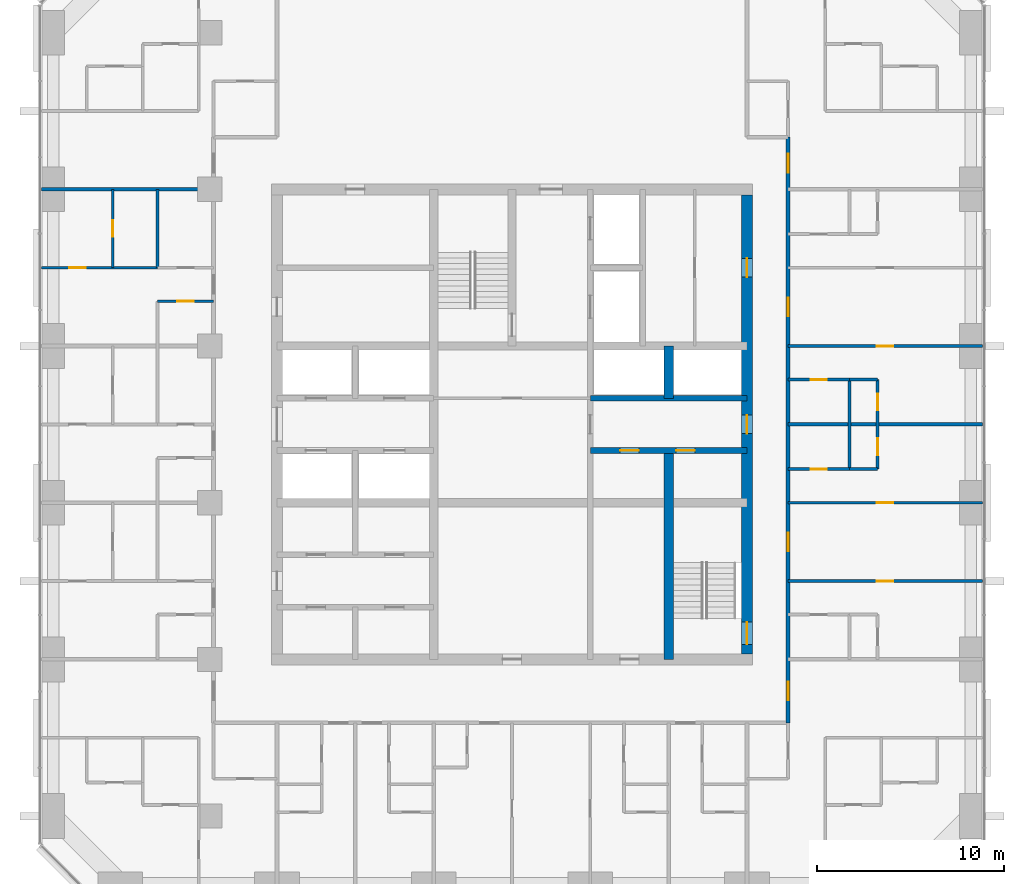
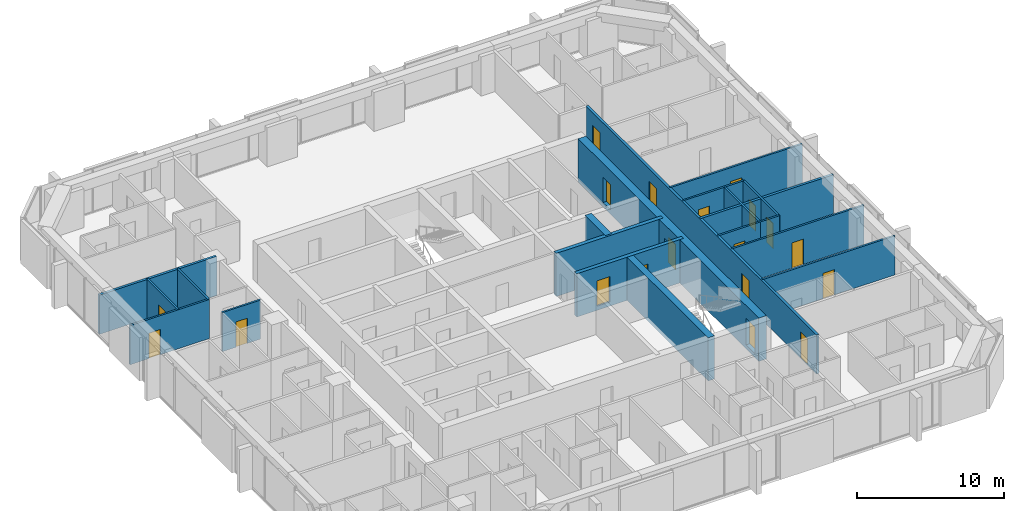
# One storey, part 11 of 14: 21 walls, 19 doors, 19 openings.
"""IFC4 building model written with IfcOpenShell, lengths in metres."""

from ifc_helpers import new_model, si_unit, direction, frame, frame_2d, origin, place, context, subcontext, project, spatial, rectangle, extrude, material, layer, layer_set, type_object, element, fill, save


model = new_model("IFC4")

# Units and contexts
model_context = context("Model", 3, precision=1e-05, world=origin(), true_north=direction((0.0, 1.0)))
body_context = subcontext(model_context, "Body", "Model", "MODEL_VIEW")
ifc_project = project(units=[si_unit("LENGTHUNIT", "METRE"), si_unit("AREAUNIT", "SQUARE_METRE"), si_unit("VOLUMEUNIT", "CUBIC_METRE"), si_unit("PLANEANGLEUNIT", "RADIAN"), si_unit("MASSUNIT", "GRAM", prefix="KILO")], contexts=[model_context])

# Site, building, storey
site_placement = place(None, origin())
site = spatial("IfcSite", under=ifc_project, at=site_placement, CompositionType="ELEMENT")
building_placement = place(site_placement, origin())
building = spatial("IfcBuilding", under=site, at=building_placement, Name="Dunama Terrace Hotel", CompositionType="ELEMENT")
storey_placement = place(building_placement, frame((0.0, 0.0, 202.199951171875)))
storey = spatial("IfcBuildingStorey", under=building, at=storey_placement, Name="L52", CompositionType="ELEMENT", Elevation=202.199951171875)

# Wall, opening, door
ifc_material_1 = material(Name="Gypsum board partition", Category="masonry")
ifc_layer_1 = layer(ifc_material_1, 0.14990234375)
ifc_layer_set_1 = layer_set([ifc_layer_1], Name="Bathroom partition 150")
wall_type_1 = type_object("IfcWallType", Name="Bathroom partition 150", PredefinedType="PARTITIONING", material=ifc_layer_set_1)
wall_1_placement = place(storey_placement, frame((44.199951171875, 27.0, 0.0), z_axis=(0.0, 0.0, 1.0), x_axis=(1.0, 0.0, 0.0)))
wall_1 = element("IfcWall", 1, at=wall_1_placement, inside=storey, type_object=wall_type_1, Name="Bathroom partition 150 L52", PredefinedType="PARTITIONING", context=body_context, shape_type="SweptSolid", body=[
    extrude(rectangle(XDim=3.300048828125, YDim=0.14990234375, at=frame_2d((1.64990234375, 0.0))), origin(), (0.0, 0.0, 1.0), 3.25),
])
opening_1_placement = place(wall_1_placement, frame((1.22509765625, 0.0, 0.0)))
opening_1 = element("IfcOpeningElement", 2, at=opening_1_placement, cuts=wall_1, Name="Opening L51-52-029", PredefinedType="OPENING", context=body_context, shape_type="SweptSolid", body=[
    extrude(rectangle(XDim=0.85009765625, YDim=2.10009765625, at=frame_2d((0.425048828125, 1.050048828125))), frame((0.0, 0.0849609375, 0.0), z_axis=(0.0, -1.0, 0.0), x_axis=(1.0, 0.0, 0.0)), (0.0, 0.0, 1.0), 0.169921875),
])
ifc_material_2 = material(Name="Timber door with steel frame", Category="steel")
door_type_1 = type_object("IfcDoorType", Name="Bathroom door 850", OperationType="SINGLE_SWING_LEFT", PredefinedType="DOOR", material=ifc_material_2)
door_1_placement = place(opening_1_placement, origin())
door_1 = element("IfcDoor", 3, at=door_1_placement, inside=storey, type_object=door_type_1, Name="Door to en-suite bathroom L51-52-029, type D2", OperationType="SINGLE_SWING_LEFT", OverallHeight=2.10009765625, OverallWidth=0.85009765625, PredefinedType="DOOR", context=body_context, shape_type="SweptSolid", body=[
    extrude(rectangle(XDim=0.85009765625, YDim=2.10009765625, at=frame_2d((0.425048828125, 1.050048828125))), frame((0.0, 0.02490234375, 0.0), z_axis=(0.0, -1.0, 0.0), x_axis=(1.0, 0.0, 0.0)), (0.0, 0.0, 1.0), 0.050048828125),
])
fill(opening_1, door_1)

wall_2_placement = place(storey_placement, frame((44.199951171875, 31.800048828125, 0.0), z_axis=(0.0, 0.0, 1.0), x_axis=(1.0, 0.0, 0.0)))
wall_2 = element("IfcWall", 4, at=wall_2_placement, inside=storey, type_object=wall_type_1, Name="Bathroom partition 150 L52", PredefinedType="PARTITIONING", context=body_context, shape_type="SweptSolid", body=[
    extrude(rectangle(XDim=3.300048828125, YDim=0.14990234375, at=frame_2d((1.64990234375, 0.0))), origin(), (0.0, 0.0, 1.0), 3.25),
])
opening_2_placement = place(wall_2_placement, frame((1.22509765625, 0.0, 0.0)))
opening_2 = element("IfcOpeningElement", 5, at=opening_2_placement, cuts=wall_2, Name="Opening L51-52-033", PredefinedType="OPENING", context=body_context, shape_type="SweptSolid", body=[
    extrude(rectangle(XDim=0.85009765625, YDim=2.10009765625, at=frame_2d((0.425048828125, 1.050048828125))), frame((0.0, 0.0849609375, 0.0), z_axis=(0.0, -1.0, 0.0), x_axis=(1.0, 0.0, 0.0)), (0.0, 0.0, 1.0), 0.169921875),
])
door_2_placement = place(opening_2_placement, frame((0.85009765625, 0.0, 0.0), z_axis=(0.0, 0.0, 1.0), x_axis=(-1.0, 0.0, 0.0)))
door_2 = element("IfcDoor", 6, at=door_2_placement, inside=storey, type_object=door_type_1, Name="Door to en-suite bathroom L51-52-033, type D2", OperationType="SINGLE_SWING_RIGHT", OverallHeight=2.10009765625, OverallWidth=0.85009765625, PredefinedType="DOOR", context=body_context, shape_type="SweptSolid", body=[
    extrude(rectangle(XDim=0.85009765625, YDim=2.10009765625, at=frame_2d((0.425048828125, 1.050048828125))), frame((0.0, 0.025146484375, 0.0), z_axis=(0.0, -1.0, 0.0), x_axis=(1.0, 0.0, 0.0)), (0.0, 0.0, 1.0), 0.050048828125),
])
fill(opening_2, door_2)

# Wall, openings, doors
ifc_material_3 = material(Name="Concrete C50/60", Category="concrete")
ifc_layer_2 = layer(ifc_material_3, 0.300048828125)
ifc_layer_set_2 = layer_set([ifc_layer_2], Name="Core inner wall 300")
wall_type_2 = type_object("IfcWallType", Name="Core inner wall 300", PredefinedType="SHEAR", material=ifc_layer_set_2)
wall_3_placement = place(storey_placement, frame((33.60009765625, 28.0, -0.349853515625), z_axis=(0.0, 0.0, 1.0), x_axis=(1.0, 0.0, 0.0)))
wall_3 = element("IfcWall", 7, at=wall_3_placement, inside=storey, type_object=wall_type_2, Name="Core inner wall 300 L52", PredefinedType="SHEAR", context=body_context, shape_type="SweptSolid", body=[
    extrude(rectangle(XDim=8.39990234375, YDim=0.300048828125, at=frame_2d((4.199951171875, 0.0))), origin(), (0.0, 0.0, 1.0), 3.599853515625),
])
opening_3_placement = place(wall_3_placement, frame((1.60009765625, 0.0, 0.35009765625)))
opening_3 = element("IfcOpeningElement", 8, at=opening_3_placement, cuts=wall_3, Name="Opening L51-52-083", PredefinedType="OPENING", context=body_context, shape_type="SweptSolid", body=[
    extrude(rectangle(XDim=1.0, YDim=2.10009765625, at=frame_2d((0.5, 1.050048828125))), frame((0.0, 0.159912109375, 0.0), z_axis=(0.0, -1.0, 0.0), x_axis=(1.0, 0.0, 0.0)), (0.0, 0.0, 1.0), 0.320068359375),
])
opening_4_placement = place(wall_3_placement, frame((4.60009765625, 0.0, 0.35009765625)))
opening_4 = element("IfcOpeningElement", 9, at=opening_4_placement, cuts=wall_3, Name="Opening L51-52-084", PredefinedType="OPENING", context=body_context, shape_type="SweptSolid", body=[
    extrude(rectangle(XDim=1.0, YDim=2.10009765625, at=frame_2d((0.5, 1.050048828125))), frame((0.0, 0.159912109375, 0.0), z_axis=(0.0, -1.0, 0.0), x_axis=(1.0, 0.0, 0.0)), (0.0, 0.0, 1.0), 0.320068359375),
])
ifc_material_4 = material(Name="Timber door with steel frame", Category="steel")
door_type_2 = type_object("IfcDoorType", Name="Service door 1000", OperationType="SINGLE_SWING_LEFT", PredefinedType="DOOR", material=ifc_material_4)
door_3_placement = place(opening_3_placement, frame((1.0, 0.0, 0.0), z_axis=(0.0, 0.0, 1.0), x_axis=(-1.0, 0.0, 0.0)))
door_3 = element("IfcDoor", 10, at=door_3_placement, inside=storey, type_object=door_type_2, Name="Door to service riser L51-52-083, type D7", OperationType="SINGLE_SWING_LEFT", OverallHeight=2.10009765625, OverallWidth=1.0, PredefinedType="DOOR", context=body_context, shape_type="SweptSolid", body=[
    extrude(rectangle(XDim=1.0, YDim=2.10009765625, at=frame_2d((0.5, 1.050048828125))), frame((0.0, 0.025146484375, 0.0), z_axis=(0.0, -1.0, 0.0), x_axis=(1.0, 0.0, 0.0)), (0.0, 0.0, 1.0), 0.050048828125),
])
fill(opening_3, door_3)
door_4_placement = place(opening_4_placement, frame((1.0, 0.0, 0.0), z_axis=(0.0, 0.0, 1.0), x_axis=(-1.0, 0.0, 0.0)))
door_4 = element("IfcDoor", 11, at=door_4_placement, inside=storey, type_object=door_type_2, Name="Door to room service pantry L51-52-084, type D7", OperationType="SINGLE_SWING_RIGHT", OverallHeight=2.10009765625, OverallWidth=1.0, PredefinedType="DOOR", context=body_context, shape_type="SweptSolid", body=[
    extrude(rectangle(XDim=1.0, YDim=2.10009765625, at=frame_2d((0.5, 1.050048828125))), frame((0.0, 0.025146484375, 0.0), z_axis=(0.0, -1.0, 0.0), x_axis=(1.0, 0.0, 0.0)), (0.0, 0.0, 1.0), 0.050048828125),
])
fill(opening_4, door_4)

# Walls
wall_4_placement = place(storey_placement, frame((33.60009765625, 30.800048828125, -0.349853515625), z_axis=(0.0, 0.0, 1.0), x_axis=(1.0, 0.0, 0.0)))
element("IfcWall", 12, at=wall_4_placement, inside=storey, type_object=wall_type_2, Name="Core inner wall 300 L52", PredefinedType="SHEAR", context=body_context, shape_type="SweptSolid", body=[
    extrude(rectangle(XDim=8.39990234375, YDim=0.300048828125, at=frame_2d((4.199951171875, 0.0))), origin(), (0.0, 0.0, 1.0), 3.599853515625),
])
ifc_material_5 = material(Name="Concrete C50/60", Category="concrete")
ifc_layer_3 = layer(ifc_material_5, 0.5)
ifc_layer_set_3 = layer_set([ifc_layer_3], Name="Core inner wall 500")
wall_type_3 = type_object("IfcWallType", Name="Core inner wall 500", PredefinedType="SHEAR", material=ifc_layer_set_3)
wall_5_placement = place(storey_placement, frame((37.800048828125, 16.800048828125, -0.349853515625), z_axis=(0.0, 0.0, 1.0), x_axis=(0.0, 1.0, 0.0)))
element("IfcWall", 13, at=wall_5_placement, inside=storey, type_object=wall_type_3, Name="Core inner wall 500 L52", PredefinedType="SHEAR", context=body_context, shape_type="SweptSolid", body=[
    extrude(rectangle(XDim=11.199951171875, YDim=0.5, at=frame_2d((5.60009765625, 0.0))), origin(), (0.0, 0.0, 1.0), 3.599853515625),
])
wall_6_placement = place(storey_placement, frame((37.800048828125, 30.800048828125, -0.349853515625), z_axis=(0.0, 0.0, 1.0), x_axis=(0.0, 1.0, 0.0)))
element("IfcWall", 14, at=wall_6_placement, inside=storey, type_object=wall_type_3, Name="Core inner wall 500 L52", PredefinedType="SHEAR", context=body_context, shape_type="SweptSolid", body=[
    extrude(rectangle(XDim=2.800048828125, YDim=0.5, at=frame_2d((1.39990234375, 0.0))), origin(), (0.0, 0.0, 1.0), 3.599853515625),
])

# Wall, openings, doors
ifc_material_6 = material(Name="Concrete C50/60", Category="concrete")
ifc_layer_4 = layer(ifc_material_6, 0.60009765625)
ifc_layer_set_4 = layer_set([ifc_layer_4], Name="Core wall 600")
wall_type_4 = type_object("IfcWallType", Name="Core wall 600", PredefinedType="SHEAR", material=ifc_layer_set_4)
wall_7_placement = place(storey_placement, frame((42.0, 17.10009765625, -0.349853515625), z_axis=(0.0, 0.0, 1.0), x_axis=(0.0, 1.0, 0.0)))
wall_7 = element("IfcWall", 15, at=wall_7_placement, inside=storey, type_object=wall_type_4, Name="Core wall east L52", PredefinedType="SHEAR", context=body_context, shape_type="SweptSolid", body=[
    extrude(rectangle(XDim=24.599853515625, YDim=0.60009765625, at=frame_2d((12.2998046875, 0.0))), origin(), (0.0, 0.0, 1.0), 3.599853515625),
])
opening_5_placement = place(wall_7_placement, frame((0.5, 0.0, 0.35009765625)))
opening_5 = element("IfcOpeningElement", 16, at=opening_5_placement, cuts=wall_7, Name="Opening L51-52-002", PredefinedType="OPENING", context=body_context, shape_type="SweptSolid", body=[
    extrude(rectangle(XDim=1.199951171875, YDim=2.199951171875, at=frame_2d((0.60009765625, 1.10009765625))), frame((0.0, 0.31005859375, 0.0), z_axis=(0.0, -1.0, 0.0), x_axis=(1.0, 0.0, 0.0)), (0.0, 0.0, 1.0), 0.6201171875),
])
opening_6_placement = place(wall_7_placement, frame((11.800048828125, 0.0, 0.35009765625)))
opening_6 = element("IfcOpeningElement", 17, at=opening_6_placement, cuts=wall_7, Name="Opening L51-52-085", PredefinedType="OPENING", context=body_context, shape_type="SweptSolid", body=[
    extrude(rectangle(XDim=1.0, YDim=2.10009765625, at=frame_2d((0.5, 1.050048828125))), frame((0.0, 0.31005859375, 0.0), z_axis=(0.0, -1.0, 0.0), x_axis=(1.0, 0.0, 0.0)), (0.0, 0.0, 1.0), 0.6201171875),
])
opening_7_placement = place(wall_7_placement, frame((20.199951171875, 0.0, 0.35009765625)))
opening_7 = element("IfcOpeningElement", 18, at=opening_7_placement, cuts=wall_7, Name="Opening L51-52-087", PredefinedType="OPENING", context=body_context, shape_type="SweptSolid", body=[
    extrude(rectangle(XDim=1.0, YDim=2.10009765625, at=frame_2d((0.5, 1.050048828125))), frame((0.0, 0.31005859375, 0.0), z_axis=(0.0, -1.0, 0.0), x_axis=(1.0, 0.0, 0.0)), (0.0, 0.0, 1.0), 0.6201171875),
])
door_5_placement = place(opening_6_placement, origin())
door_5 = element("IfcDoor", 19, at=door_5_placement, inside=storey, type_object=door_type_2, Name="Door to service lobby L51-52-085, type D7", OperationType="SINGLE_SWING_RIGHT", OverallHeight=2.10009765625, OverallWidth=1.0, PredefinedType="DOOR", context=body_context, shape_type="SweptSolid", body=[
    extrude(rectangle(XDim=1.0, YDim=2.10009765625, at=frame_2d((0.5, 1.050048828125))), frame((0.0, 0.02490234375, 0.0), z_axis=(0.0, -1.0, 0.0), x_axis=(1.0, 0.0, 0.0)), (0.0, 0.0, 1.0), 0.050048828125),
])
fill(opening_6, door_5)
door_6_placement = place(opening_7_placement, origin())
door_6 = element("IfcDoor", 20, at=door_6_placement, inside=storey, type_object=door_type_2, Name="Door to guest pantry L51-52-087, type D7", OperationType="SINGLE_SWING_LEFT", OverallHeight=2.10009765625, OverallWidth=1.0, PredefinedType="DOOR", context=body_context, shape_type="SweptSolid", body=[
    extrude(rectangle(XDim=1.0, YDim=2.10009765625, at=frame_2d((0.5, 1.050048828125))), frame((0.0, 0.02490234375, 0.0), z_axis=(0.0, -1.0, 0.0), x_axis=(1.0, 0.0, 0.0)), (0.0, 0.0, 1.0), 0.050048828125),
])
fill(opening_7, door_6)
ifc_material_7 = material(Name="Timber door with steel frame", Category="steel")
door_type_3 = type_object("IfcDoorType", Name="Stair door 1200", OperationType="SINGLE_SWING_LEFT", PredefinedType="DOOR", material=ifc_material_7)
door_7_placement = place(opening_5_placement, origin())
door_7 = element("IfcDoor", 21, at=door_7_placement, inside=storey, type_object=door_type_3, Name="Stair door ST2 L51-52-002, type D5", OperationType="SINGLE_SWING_LEFT", OverallHeight=2.199951171875, OverallWidth=1.199951171875, PredefinedType="DOOR", context=body_context, shape_type="SweptSolid", body=[
    extrude(rectangle(XDim=1.199951171875, YDim=2.199951171875, at=frame_2d((0.60009765625, 1.10009765625))), frame((0.0, 0.02490234375, 0.0), z_axis=(0.0, -1.0, 0.0), x_axis=(1.0, 0.0, 0.0)), (0.0, 0.0, 1.0), 0.050048828125),
])
fill(opening_5, door_7)

ifc_material_8 = material(Name="Concrete blockwork", Category="masonry")
ifc_layer_5 = layer(ifc_material_8, 0.199951171875)
ifc_layer_set_5 = layer_set([ifc_layer_5], Name="Corridor partition 200")
wall_type_5 = type_object("IfcWallType", Name="Corridor partition 200", PredefinedType="PARTITIONING", material=ifc_layer_set_5)
wall_8_placement = place(storey_placement, frame((44.199951171875, 44.800048828125, 0.0), z_axis=(0.0, 0.0, 1.0), x_axis=(0.0, -1.0, 0.0)))
wall_8 = element("IfcWall", 22, at=wall_8_placement, inside=storey, type_object=wall_type_5, Name="Corridor partition 200 L52", PredefinedType="PARTITIONING", context=body_context, shape_type="SweptSolid", body=[
    extrude(rectangle(XDim=31.400146484375, YDim=0.199951171875, at=frame_2d((15.7001953125, 0.0))), origin(), (0.0, 0.0, 1.0), 3.25),
])
opening_8_placement = place(wall_8_placement, frame((21.199951171875, 0.0, 0.0)))
opening_8 = element("IfcOpeningElement", 23, at=opening_8_placement, cuts=wall_8, Name="Opening L51-52-024", PredefinedType="OPENING", context=body_context, shape_type="SweptSolid", body=[
    extrude(rectangle(XDim=1.0, YDim=2.199951171875, at=frame_2d((0.5, 1.10009765625))), frame((0.0, 0.10986328125, 0.0), z_axis=(0.0, -1.0, 0.0), x_axis=(1.0, 0.0, 0.0)), (0.0, 0.0, 1.0), 0.219970703125),
])
opening_9_placement = place(wall_8_placement, frame((8.60009765625, 0.0, 0.0)))
opening_9 = element("IfcOpeningElement", 24, at=opening_9_placement, cuts=wall_8, Name="Opening L51-52-031", PredefinedType="OPENING", context=body_context, shape_type="SweptSolid", body=[
    extrude(rectangle(XDim=1.0, YDim=2.199951171875, at=frame_2d((0.5, 1.10009765625))), frame((0.0, 0.10986328125, 0.0), z_axis=(0.0, -1.0, 0.0), x_axis=(1.0, 0.0, 0.0)), (0.0, 0.0, 1.0), 0.219970703125),
])
opening_10_placement = place(wall_8_placement, frame((29.199951171875, 0.0, 0.0)))
opening_10 = element("IfcOpeningElement", 25, at=opening_10_placement, cuts=wall_8, Name="Opening L51-52-058", PredefinedType="OPENING", context=body_context, shape_type="SweptSolid", body=[
    extrude(rectangle(XDim=1.0, YDim=2.199951171875, at=frame_2d((0.5, 1.10009765625))), frame((0.0, 0.10986328125, 0.0), z_axis=(0.0, -1.0, 0.0), x_axis=(1.0, 0.0, 0.0)), (0.0, 0.0, 1.0), 0.219970703125),
])
opening_11_placement = place(wall_8_placement, frame((0.89990234375, 0.0, 0.0)))
opening_11 = element("IfcOpeningElement", 26, at=opening_11_placement, cuts=wall_8, Name="Opening L51-52-063", PredefinedType="OPENING", context=body_context, shape_type="SweptSolid", body=[
    extrude(rectangle(XDim=1.0, YDim=2.199951171875, at=frame_2d((0.5, 1.10009765625))), frame((0.0, 0.10986328125, 0.0), z_axis=(0.0, -1.0, 0.0), x_axis=(1.0, 0.0, 0.0)), (0.0, 0.0, 1.0), 0.219970703125),
])
ifc_material_9 = material(Name="Timber door with steel frame", Category="steel")
door_type_4 = type_object("IfcDoorType", Name="Guest room door 1000", OperationType="SINGLE_SWING_LEFT", PredefinedType="DOOR", material=ifc_material_9)
door_8_placement = place(opening_8_placement, origin())
door_8 = element("IfcDoor", 27, at=door_8_placement, inside=storey, type_object=door_type_4, Name="Door to family club suite living room L51-52-024, type D1", OperationType="SINGLE_SWING_RIGHT", OverallHeight=2.199951171875, OverallWidth=1.0, PredefinedType="DOOR", context=body_context, shape_type="SweptSolid", body=[
    extrude(rectangle(XDim=1.0, YDim=2.199951171875, at=frame_2d((0.5, 1.10009765625))), frame((0.0, 0.02490234375, 0.0), z_axis=(0.0, -1.0, 0.0), x_axis=(1.0, 0.0, 0.0)), (0.0, 0.0, 1.0), 0.050048828125),
])
fill(opening_8, door_8)
door_9_placement = place(opening_9_placement, origin())
door_9 = element("IfcDoor", 28, at=door_9_placement, inside=storey, type_object=door_type_4, Name="Door to family club suite living room L51-52-031, type D1", OperationType="SINGLE_SWING_RIGHT", OverallHeight=2.199951171875, OverallWidth=1.0, PredefinedType="DOOR", context=body_context, shape_type="SweptSolid", body=[
    extrude(rectangle(XDim=1.0, YDim=2.199951171875, at=frame_2d((0.5, 1.10009765625))), frame((0.0, 0.02490234375, 0.0), z_axis=(0.0, -1.0, 0.0), x_axis=(1.0, 0.0, 0.0)), (0.0, 0.0, 1.0), 0.050048828125),
])
fill(opening_9, door_9)
door_10_placement = place(opening_10_placement, origin())
door_10 = element("IfcDoor", 29, at=door_10_placement, inside=storey, type_object=door_type_4, Name="Door to corner suite living room L51-52-058, type D1", OperationType="SINGLE_SWING_RIGHT", OverallHeight=2.199951171875, OverallWidth=1.0, PredefinedType="DOOR", context=body_context, shape_type="SweptSolid", body=[
    extrude(rectangle(XDim=1.0, YDim=2.199951171875, at=frame_2d((0.5, 1.10009765625))), frame((0.0, 0.02490234375, 0.0), z_axis=(0.0, -1.0, 0.0), x_axis=(1.0, 0.0, 0.0)), (0.0, 0.0, 1.0), 0.050048828125),
])
fill(opening_10, door_10)
door_11_placement = place(opening_11_placement, origin())
door_11 = element("IfcDoor", 30, at=door_11_placement, inside=storey, type_object=door_type_4, Name="Door to corner suite living room L51-52-063, type D1", OperationType="SINGLE_SWING_LEFT", OverallHeight=2.199951171875, OverallWidth=1.0, PredefinedType="DOOR", context=body_context, shape_type="SweptSolid", body=[
    extrude(rectangle(XDim=1.0, YDim=2.199951171875, at=frame_2d((0.5, 1.10009765625))), frame((0.0, 0.02490234375, 0.0), z_axis=(0.0, -1.0, 0.0), x_axis=(1.0, 0.0, 0.0)), (0.0, 0.0, 1.0), 0.050048828125),
])
fill(opening_11, door_11)

# Walls
ifc_material_10 = material(Name="Concrete blockwork", Category="masonry")
ifc_layer_6 = layer(ifc_material_10, 0.199951171875)
ifc_layer_set_6 = layer_set([ifc_layer_6], Name="Party wall 200")
wall_type_6 = type_object("IfcWallType", Name="Party wall 200", PredefinedType="PARTITIONING", material=ifc_layer_set_6)
wall_9_placement = place(storey_placement, frame((44.199951171875, 29.39990234375, 0.0), z_axis=(0.0, 0.0, 1.0), x_axis=(1.0, 0.0, 0.0)))
element("IfcWall", 31, at=wall_9_placement, inside=storey, type_object=wall_type_6, Name="Party wall 200 L52", PredefinedType="PARTITIONING", context=body_context, shape_type="SweptSolid", body=[
    extrude(rectangle(XDim=10.41796875, YDim=0.199951171875, at=frame_2d((5.208984375, 0.0))), origin(), (0.0, 0.0, 1.0), 3.25),
])
wall_10_placement = place(storey_placement, frame((4.181884765625, 42.0, 0.0), z_axis=(0.0, 0.0, 1.0), x_axis=(1.0, 0.0, 0.0)))
element("IfcWall", 32, at=wall_10_placement, inside=storey, type_object=wall_type_6, Name="Party wall 200 L52", PredefinedType="PARTITIONING", context=body_context, shape_type="SweptSolid", body=[
    extrude(rectangle(XDim=9.218017578125, YDim=0.199951171875, at=frame_2d((4.60888671875, 0.0))), origin(), (0.0, 0.0, 1.0), 3.25),
])

# Wall, opening, door
ifc_material_11 = material(Name="Gypsum board partition", Category="masonry")
ifc_layer_7 = layer(ifc_material_11, 0.14990234375)
ifc_layer_set_7 = layer_set([ifc_layer_7], Name="Room partition 150")
wall_type_7 = type_object("IfcWallType", Name="Room partition 150", PredefinedType="PARTITIONING", material=ifc_layer_set_7)
wall_11_placement = place(storey_placement, frame((8.0, 37.800048828125, 0.0), z_axis=(0.0, 0.0, 1.0), x_axis=(0.0, 1.0, 0.0)))
wall_11 = element("IfcWall", 33, at=wall_11_placement, inside=storey, type_object=wall_type_7, Name="Room partition 150 L52", PredefinedType="PARTITIONING", context=body_context, shape_type="SweptSolid", body=[
    extrude(rectangle(XDim=4.199951171875, YDim=0.14990234375, at=frame_2d((2.10009765625, 0.0))), origin(), (0.0, 0.0, 1.0), 3.25),
])
opening_12_placement = place(wall_11_placement, frame((1.64990234375, 0.0, 0.0)))
opening_12 = element("IfcOpeningElement", 34, at=opening_12_placement, cuts=wall_11, Name="Opening L51-52-051", PredefinedType="OPENING", context=body_context, shape_type="SweptSolid", body=[
    extrude(rectangle(XDim=0.89990234375, YDim=2.10009765625, at=frame_2d((0.449951171875, 1.050048828125))), frame((0.0, 0.0849609375, 0.0), z_axis=(0.0, -1.0, 0.0), x_axis=(1.0, 0.0, 0.0)), (0.0, 0.0, 1.0), 0.169921875),
])
ifc_material_12 = material(Name="Timber door with steel frame", Category="steel")
door_type_5 = type_object("IfcDoorType", Name="Suite internal door 900", OperationType="SINGLE_SWING_LEFT", PredefinedType="DOOR", material=ifc_material_12)
door_12_placement = place(opening_12_placement, frame((0.89990234375, 0.0, 0.0), z_axis=(0.0, 0.0, 1.0), x_axis=(-1.0, 0.0, 0.0)))
door_12 = element("IfcDoor", 35, at=door_12_placement, inside=storey, type_object=door_type_5, Name="Door to walk-in wardrobe L51-52-051, type D16", OperationType="SINGLE_SWING_RIGHT", OverallHeight=2.10009765625, OverallWidth=0.89990234375, PredefinedType="DOOR", context=body_context, shape_type="SweptSolid", body=[
    extrude(rectangle(XDim=0.89990234375, YDim=2.10009765625, at=frame_2d((0.449951171875, 1.050048828125))), frame((0.0, 0.025146484375, 0.0), z_axis=(0.0, -1.0, 0.0), x_axis=(1.0, 0.0, 0.0)), (0.0, 0.0, 1.0), 0.050048828125),
])
fill(opening_12, door_12)

# Walls
wall_12_placement = place(storey_placement, frame((10.39990234375, 37.800048828125, 0.0), z_axis=(0.0, 0.0, 1.0), x_axis=(0.0, 1.0, 0.0)))
element("IfcWall", 36, at=wall_12_placement, inside=storey, type_object=wall_type_7, Name="Room partition 150 L52", PredefinedType="PARTITIONING", context=body_context, shape_type="SweptSolid", body=[
    extrude(rectangle(XDim=4.199951171875, YDim=0.14990234375, at=frame_2d((2.10009765625, 0.0))), origin(), (0.0, 0.0, 1.0), 3.25),
])
wall_13_placement = place(storey_placement, frame((47.5, 27.0, 0.0), z_axis=(0.0, 0.0, 1.0), x_axis=(0.0, 1.0, 0.0)))
element("IfcWall", 37, at=wall_13_placement, inside=storey, type_object=wall_type_7, Name="Room partition 150 L52", PredefinedType="PARTITIONING", context=body_context, shape_type="SweptSolid", body=[
    extrude(rectangle(XDim=4.800048828125, YDim=0.14990234375, at=frame_2d((2.39990234375, 0.0))), origin(), (0.0, 0.0, 1.0), 3.25),
])

# Wall, openings, doors
wall_14_placement = place(storey_placement, frame((49.0, 27.0, 0.0), z_axis=(0.0, 0.0, 1.0), x_axis=(0.0, 1.0, 0.0)))
wall_14 = element("IfcWall", 38, at=wall_14_placement, inside=storey, type_object=wall_type_7, Name="Room partition 150 L52", PredefinedType="PARTITIONING", context=body_context, shape_type="SweptSolid", body=[
    extrude(rectangle(XDim=4.800048828125, YDim=0.14990234375, at=frame_2d((2.39990234375, 0.0))), origin(), (0.0, 0.0, 1.0), 3.25),
])
opening_13_placement = place(wall_14_placement, frame((0.75, 0.0, 0.0)))
opening_13 = element("IfcOpeningElement", 39, at=opening_13_placement, cuts=wall_14, Name="Opening L51-52-030", PredefinedType="OPENING", context=body_context, shape_type="SweptSolid", body=[
    extrude(rectangle(XDim=0.89990234375, YDim=2.10009765625, at=frame_2d((0.449951171875, 1.050048828125))), frame((0.0, 0.0849609375, 0.0), z_axis=(0.0, -1.0, 0.0), x_axis=(1.0, 0.0, 0.0)), (0.0, 0.0, 1.0), 0.169921875),
])
opening_14_placement = place(wall_14_placement, frame((3.14990234375, 0.0, 0.0)))
opening_14 = element("IfcOpeningElement", 40, at=opening_14_placement, cuts=wall_14, Name="Opening L51-52-034", PredefinedType="OPENING", context=body_context, shape_type="SweptSolid", body=[
    extrude(rectangle(XDim=0.89990234375, YDim=2.10009765625, at=frame_2d((0.449951171875, 1.050048828125))), frame((0.0, 0.0849609375, 0.0), z_axis=(0.0, -1.0, 0.0), x_axis=(1.0, 0.0, 0.0)), (0.0, 0.0, 1.0), 0.169921875),
])
door_13_placement = place(opening_13_placement, origin())
door_13 = element("IfcDoor", 41, at=door_13_placement, inside=storey, type_object=door_type_5, Name="Door to walk-in wardrobe L51-52-030, type D16", OperationType="SINGLE_SWING_LEFT", OverallHeight=2.10009765625, OverallWidth=0.89990234375, PredefinedType="DOOR", context=body_context, shape_type="SweptSolid", body=[
    extrude(rectangle(XDim=0.89990234375, YDim=2.10009765625, at=frame_2d((0.449951171875, 1.050048828125))), frame((0.0, 0.02490234375, 0.0), z_axis=(0.0, -1.0, 0.0), x_axis=(1.0, 0.0, 0.0)), (0.0, 0.0, 1.0), 0.050048828125),
])
fill(opening_13, door_13)
door_14_placement = place(opening_14_placement, origin())
door_14 = element("IfcDoor", 42, at=door_14_placement, inside=storey, type_object=door_type_5, Name="Door to walk-in wardrobe L51-52-034, type D16", OperationType="SINGLE_SWING_LEFT", OverallHeight=2.10009765625, OverallWidth=0.89990234375, PredefinedType="DOOR", context=body_context, shape_type="SweptSolid", body=[
    extrude(rectangle(XDim=0.89990234375, YDim=2.10009765625, at=frame_2d((0.449951171875, 1.050048828125))), frame((0.0, 0.02490234375, 0.0), z_axis=(0.0, -1.0, 0.0), x_axis=(1.0, 0.0, 0.0)), (0.0, 0.0, 1.0), 0.050048828125),
])
fill(opening_14, door_14)

# Wall, opening, door
wall_15_placement = place(storey_placement, frame((44.199951171875, 21.0, 0.0), z_axis=(0.0, 0.0, 1.0), x_axis=(1.0, 0.0, 0.0)))
wall_15 = element("IfcWall", 43, at=wall_15_placement, inside=storey, type_object=wall_type_7, Name="Room partition 150 L52", PredefinedType="PARTITIONING", context=body_context, shape_type="SweptSolid", body=[
    extrude(rectangle(XDim=10.41796875, YDim=0.14990234375, at=frame_2d((5.208984375, 0.0))), origin(), (0.0, 0.0, 1.0), 3.25),
])
opening_15_placement = place(wall_15_placement, frame((4.75, 0.0, 0.0)))
opening_15 = element("IfcOpeningElement", 44, at=opening_15_placement, cuts=wall_15, Name="Opening L51-52-025", PredefinedType="OPENING", context=body_context, shape_type="SweptSolid", body=[
    extrude(rectangle(XDim=0.89990234375, YDim=2.10009765625, at=frame_2d((0.449951171875, 1.050048828125))), frame((0.0, 0.0849609375, 0.0), z_axis=(0.0, -1.0, 0.0), x_axis=(1.0, 0.0, 0.0)), (0.0, 0.0, 1.0), 0.169921875),
])
door_15_placement = place(opening_15_placement, frame((0.89990234375, 0.0, 0.0), z_axis=(0.0, 0.0, 1.0), x_axis=(-1.0, 0.0, 0.0)))
door_15 = element("IfcDoor", 45, at=door_15_placement, inside=storey, type_object=door_type_5, Name="Door to family club suite bedroom L51-52-025, type D16", OperationType="SINGLE_SWING_RIGHT", OverallHeight=2.10009765625, OverallWidth=0.89990234375, PredefinedType="DOOR", context=body_context, shape_type="SweptSolid", body=[
    extrude(rectangle(XDim=0.89990234375, YDim=2.10009765625, at=frame_2d((0.449951171875, 1.050048828125))), frame((0.0, 0.025146484375, 0.0), z_axis=(0.0, -1.0, 0.0), x_axis=(1.0, 0.0, 0.0)), (0.0, 0.0, 1.0), 0.050048828125),
])
fill(opening_15, door_15)

wall_16_placement = place(storey_placement, frame((44.199951171875, 25.199951171875, 0.0), z_axis=(0.0, 0.0, 1.0), x_axis=(1.0, 0.0, 0.0)))
wall_16 = element("IfcWall", 46, at=wall_16_placement, inside=storey, type_object=wall_type_7, Name="Room partition 150 L52", PredefinedType="PARTITIONING", context=body_context, shape_type="SweptSolid", body=[
    extrude(rectangle(XDim=10.41796875, YDim=0.14990234375, at=frame_2d((5.208984375, 0.0))), origin(), (0.0, 0.0, 1.0), 3.25),
])
opening_16_placement = place(wall_16_placement, frame((4.75, 0.0, 0.0)))
opening_16 = element("IfcOpeningElement", 47, at=opening_16_placement, cuts=wall_16, Name="Opening L51-52-028", PredefinedType="OPENING", context=body_context, shape_type="SweptSolid", body=[
    extrude(rectangle(XDim=0.89990234375, YDim=2.10009765625, at=frame_2d((0.449951171875, 1.050048828125))), frame((0.0, 0.0849609375, 0.0), z_axis=(0.0, -1.0, 0.0), x_axis=(1.0, 0.0, 0.0)), (0.0, 0.0, 1.0), 0.169921875),
])
door_16_placement = place(opening_16_placement, origin())
door_16 = element("IfcDoor", 48, at=door_16_placement, inside=storey, type_object=door_type_5, Name="Door to family club suite second bedroom L51-52-028, type D16", OperationType="SINGLE_SWING_LEFT", OverallHeight=2.10009765625, OverallWidth=0.89990234375, PredefinedType="DOOR", context=body_context, shape_type="SweptSolid", body=[
    extrude(rectangle(XDim=0.89990234375, YDim=2.10009765625, at=frame_2d((0.449951171875, 1.050048828125))), frame((0.0, 0.02490234375, 0.0), z_axis=(0.0, -1.0, 0.0), x_axis=(1.0, 0.0, 0.0)), (0.0, 0.0, 1.0), 0.050048828125),
])
fill(opening_16, door_16)

# Walls
for number, where, z_axis, x_axis, name in (
    (49, (47.5, 27.0, 0.0), (0.0, 0.0, 1.0), (1.0, 0.0, 0.0), "Room partition 150 L52"),
    (50, (47.5, 31.800048828125, 0.0), (0.0, 0.0, 1.0), (1.0, 0.0, 0.0), "Room partition 150 L52"),
):
    element("IfcWall", number, at=place(storey_placement, frame(where, z_axis=z_axis, x_axis=x_axis)), inside=storey, type_object=wall_type_7, Name=name, PredefinedType="PARTITIONING", context=body_context, shape_type="SweptSolid", body=[
        extrude(rectangle(XDim=1.5, YDim=0.14990234375, at=frame_2d((0.75, 0.0))), origin(), (0.0, 0.0, 1.0), 3.25),
    ])

# Wall, opening, door
wall_17_placement = place(storey_placement, frame((44.199951171875, 33.60009765625, 0.0), z_axis=(0.0, 0.0, 1.0), x_axis=(1.0, 0.0, 0.0)))
wall_17 = element("IfcWall", 51, at=wall_17_placement, inside=storey, type_object=wall_type_7, Name="Room partition 150 L52", PredefinedType="PARTITIONING", context=body_context, shape_type="SweptSolid", body=[
    extrude(rectangle(XDim=10.41796875, YDim=0.14990234375, at=frame_2d((5.208984375, 0.0))), origin(), (0.0, 0.0, 1.0), 3.25),
])
opening_17_placement = place(wall_17_placement, frame((4.75, 0.0, 0.0)))
opening_17 = element("IfcOpeningElement", 52, at=opening_17_placement, cuts=wall_17, Name="Opening L51-52-032", PredefinedType="OPENING", context=body_context, shape_type="SweptSolid", body=[
    extrude(rectangle(XDim=0.89990234375, YDim=2.10009765625, at=frame_2d((0.449951171875, 1.050048828125))), frame((0.0, 0.0849609375, 0.0), z_axis=(0.0, -1.0, 0.0), x_axis=(1.0, 0.0, 0.0)), (0.0, 0.0, 1.0), 0.169921875),
])
door_17_placement = place(opening_17_placement, frame((0.89990234375, 0.0, 0.0), z_axis=(0.0, 0.0, 1.0), x_axis=(-1.0, 0.0, 0.0)))
door_17 = element("IfcDoor", 53, at=door_17_placement, inside=storey, type_object=door_type_5, Name="Door to family club suite bedroom L51-52-032, type D16", OperationType="SINGLE_SWING_RIGHT", OverallHeight=2.10009765625, OverallWidth=0.89990234375, PredefinedType="DOOR", context=body_context, shape_type="SweptSolid", body=[
    extrude(rectangle(XDim=0.89990234375, YDim=2.10009765625, at=frame_2d((0.449951171875, 1.050048828125))), frame((0.0, 0.025146484375, 0.0), z_axis=(0.0, -1.0, 0.0), x_axis=(1.0, 0.0, 0.0)), (0.0, 0.0, 1.0), 0.050048828125),
])
fill(opening_17, door_17)

wall_18_placement = place(storey_placement, frame((10.39990234375, 36.0, 0.0), z_axis=(0.0, 0.0, 1.0), x_axis=(1.0, 0.0, 0.0)))
wall_18 = element("IfcWall", 54, at=wall_18_placement, inside=storey, type_object=wall_type_7, Name="Room partition 150 L52", PredefinedType="PARTITIONING", context=body_context, shape_type="SweptSolid", body=[
    extrude(rectangle(XDim=3.0, YDim=0.14990234375, at=frame_2d((1.5, 0.0))), origin(), (0.0, 0.0, 1.0), 3.25),
])
opening_18_placement = place(wall_18_placement, frame((1.050048828125, 0.0, 0.0)))
opening_18 = element("IfcOpeningElement", 55, at=opening_18_placement, cuts=wall_18, Name="Opening L51-52-049", PredefinedType="OPENING", context=body_context, shape_type="SweptSolid", body=[
    extrude(rectangle(XDim=0.89990234375, YDim=2.10009765625, at=frame_2d((0.449951171875, 1.050048828125))), frame((0.0, 0.0849609375, 0.0), z_axis=(0.0, -1.0, 0.0), x_axis=(1.0, 0.0, 0.0)), (0.0, 0.0, 1.0), 0.169921875),
])
door_18_placement = place(opening_18_placement, frame((0.89990234375, 0.0, 0.0), z_axis=(0.0, 0.0, 1.0), x_axis=(-1.0, 0.0, 0.0)))
door_18 = element("IfcDoor", 56, at=door_18_placement, inside=storey, type_object=door_type_5, Name="Door to diplomatic residence kitchen L51-52-049, type D16", OperationType="SINGLE_SWING_LEFT", OverallHeight=2.10009765625, OverallWidth=0.89990234375, PredefinedType="DOOR", context=body_context, shape_type="SweptSolid", body=[
    extrude(rectangle(XDim=0.89990234375, YDim=2.10009765625, at=frame_2d((0.449951171875, 1.050048828125))), frame((0.0, 0.025146484375, 0.0), z_axis=(0.0, -1.0, 0.0), x_axis=(1.0, 0.0, 0.0)), (0.0, 0.0, 1.0), 0.050048828125),
])
fill(opening_18, door_18)

wall_19_placement = place(storey_placement, frame((4.181884765625, 37.800048828125, 0.0), z_axis=(0.0, 0.0, 1.0), x_axis=(1.0, 0.0, 0.0)))
wall_19 = element("IfcWall", 57, at=wall_19_placement, inside=storey, type_object=wall_type_7, Name="Room partition 150 L52", PredefinedType="PARTITIONING", context=body_context, shape_type="SweptSolid", body=[
    extrude(rectangle(XDim=6.218017578125, YDim=0.14990234375, at=frame_2d((3.10888671875, 0.0))), origin(), (0.0, 0.0, 1.0), 3.25),
])
opening_19_placement = place(wall_19_placement, frame((1.468017578125, 0.0, 0.0)))
opening_19 = element("IfcOpeningElement", 58, at=opening_19_placement, cuts=wall_19, Name="Opening L51-52-052", PredefinedType="OPENING", context=body_context, shape_type="SweptSolid", body=[
    extrude(rectangle(XDim=0.89990234375, YDim=2.10009765625, at=frame_2d((0.449951171875, 1.050048828125))), frame((0.0, 0.0849609375, 0.0), z_axis=(0.0, -1.0, 0.0), x_axis=(1.0, 0.0, 0.0)), (0.0, 0.0, 1.0), 0.169921875),
])
door_19_placement = place(opening_19_placement, origin())
door_19 = element("IfcDoor", 59, at=door_19_placement, inside=storey, type_object=door_type_5, Name="Door to diplomatic residence bedroom L51-52-052, type D16", OperationType="SINGLE_SWING_RIGHT", OverallHeight=2.10009765625, OverallWidth=0.89990234375, PredefinedType="DOOR", context=body_context, shape_type="SweptSolid", body=[
    extrude(rectangle(XDim=0.89990234375, YDim=2.10009765625, at=frame_2d((0.449951171875, 1.050048828125))), frame((0.0, 0.02490234375, 0.0), z_axis=(0.0, -1.0, 0.0), x_axis=(1.0, 0.0, 0.0)), (0.0, 0.0, 1.0), 0.050048828125),
])
fill(opening_19, door_19)

save(model, "model.ifc")
